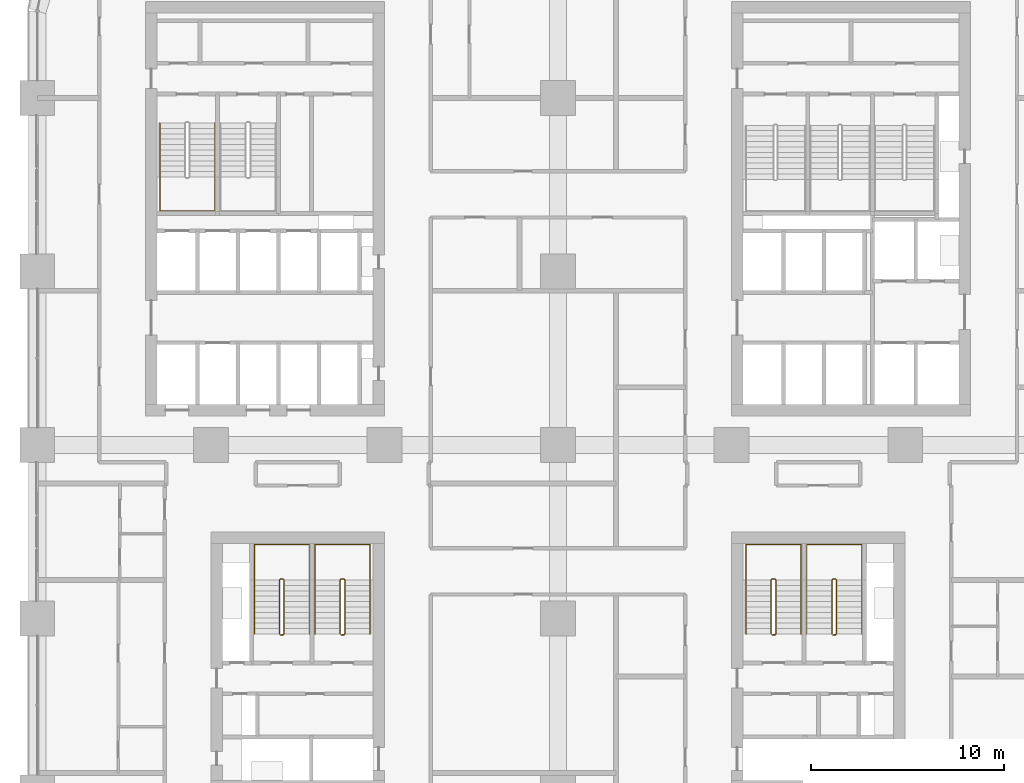
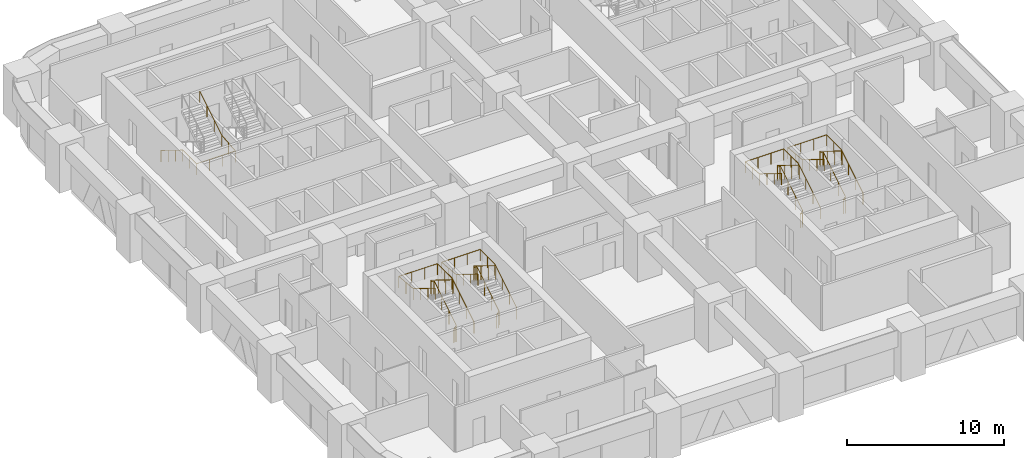
# One storey, part 20 of 21: 9 railings.
"""IFC4 building model written with IfcOpenShell, lengths in metres."""

import ifcopenshell
import ifcopenshell.guid

model = None  # the IFC model being written
_history = None  # IfcOwnerHistory: only IFC2X3 demands one
_inside = {}  # id of a spatial element -> (the spatial element, [elements in it])
_under = {}  # id of a project, library or spatial element -> (it, [spatial elements below it])
_declared = {}  # id of a project -> (the project, [libraries it declares])
_typed = {}  # id of a type object -> (the type object, [elements of that type])
_made_of = {}  # id of a material, layer set ... -> (it, [elements and type objects made of it])


def new_model(schema):
    """Start an empty IFC model of exactly this schema.

    Asked for "IFC4X3", IfcOpenShell would pick the latest addendum, in which some entities
    have other attributes; the version numbers below select the first issue.
    IFC2X3 requires an IfcOwnerHistory on every rooted entity: one is made here for all.
    """
    global model, _history
    if schema == "IFC4X3":
        model = ifcopenshell.file(schema_version=(4, 3, 0, 0))
    else:
        model = ifcopenshell.file(schema=schema)
    _inside.clear()
    _under.clear()
    _declared.clear()
    _typed.clear()
    _made_of.clear()
    _history = None
    if model.schema == "IFC2X3":
        org = make("IfcOrganization", Name="unknown")
        user = make(
            "IfcPersonAndOrganization",
            ThePerson=make("IfcPerson", FamilyName="unknown"),
            TheOrganization=org,
        )
        app = make(
            "IfcApplication",
            ApplicationDeveloper=org,
            Version="unknown",
            ApplicationFullName="unknown",
            ApplicationIdentifier="unknown",
        )
        _history = make(
            "IfcOwnerHistory",
            OwningUser=user,
            OwningApplication=app,
            ChangeAction="ADDED",
            CreationDate=0,
        )
    return model


def make(cls, **values):
    """One entity of the class cls with the attributes given. An attribute that is None is left unset."""
    return model.create_entity(
        cls, **{name: value for name, value in values.items() if value is not None}
    )


def rooted(cls, **values):
    """An entity with a GlobalId (a new one), such as an element, a storey or a relation."""
    return make(cls, GlobalId=ifcopenshell.guid.new(), OwnerHistory=_history, **values)


def si_unit(unit_type, name, prefix=None):
    """IfcSIUnit, for example si_unit("LENGTHUNIT", "METRE", prefix="MILLI")."""
    return make("IfcSIUnit", UnitType=unit_type, Prefix=prefix, Name=name)


def assignment(units):
    """IfcUnitAssignment: the units of a project."""
    return None if units is None else make("IfcUnitAssignment", Units=units)


def point(xyz):
    """IfcCartesianPoint."""
    return None if xyz is None else make("IfcCartesianPoint", Coordinates=xyz)


def direction(xyz):
    """IfcDirection."""
    return None if xyz is None else make("IfcDirection", DirectionRatios=xyz)


def frame(location, z_axis=None, x_axis=None):
    """IfcAxis2Placement3D, a coordinate frame: its origin and axes. An axis left out is left unset."""
    return make(
        "IfcAxis2Placement3D",
        Location=point(location),
        Axis=direction(z_axis),
        RefDirection=direction(x_axis),
    )


def frame_2d(location, x_axis=None):
    """IfcAxis2Placement2D, a coordinate frame in the plane: its origin and x axis."""
    return make(
        "IfcAxis2Placement2D", Location=point(location), RefDirection=direction(x_axis)
    )


def origin():
    """The frame at (0, 0, 0) with its axes left unset."""
    return frame((0.0, 0.0, 0.0))


def origin_2d():
    """The frame at (0, 0) in the plane with its x axis left unset."""
    return frame_2d((0.0, 0.0))


def place(relative_to, where):
    """IfcLocalPlacement: puts the frame where relative to a parent placement (None: the world)."""
    return make(
        "IfcLocalPlacement", PlacementRelTo=relative_to, RelativePlacement=where
    )


def context(
    kind, dimensions, precision=None, world=None, true_north=None, identifier=None
):
    """IfcGeometricRepresentationContext, for example the 3D "Model" context."""
    return make(
        "IfcGeometricRepresentationContext",
        ContextIdentifier=identifier,
        ContextType=kind,
        CoordinateSpaceDimension=dimensions,
        Precision=precision,
        WorldCoordinateSystem=world,
        TrueNorth=true_north,
    )


def subcontext(parent, identifier, kind, view, scale=None):
    """IfcGeometricRepresentationSubContext, for example "Body" below "Model"."""
    return make(
        "IfcGeometricRepresentationSubContext",
        ContextIdentifier=identifier,
        ContextType=kind,
        ParentContext=parent,
        TargetScale=scale,
        TargetView=view,
    )


def project(units=None, contexts=None):
    """IfcProject with its units and contexts."""
    return rooted(
        "IfcProject",
        Name="project",
        RepresentationContexts=contexts,
        UnitsInContext=assignment(units),
    )


def spatial(cls, under=None, at=None, **own):
    """A site, building, storey or space (cls), placed at a placement, below another one or the project."""
    s = rooted(cls, ObjectPlacement=at, **own)
    if under is not None:
        _under.setdefault(under.id(), (under, []))[1].append(s)
    return s


def profile(cls, at=None, kind="AREA", **sizes):
    """A parametric profile (cls). Its sizes go by their IFC names, for example OverallWidth=200.0."""
    return make(cls, ProfileType=kind, Position=at, **sizes)


def circle(**sizes):
    """IfcCircleProfileDef."""
    return profile("IfcCircleProfileDef", **sizes)


def extrude(swept, where, along, depth):
    """IfcExtrudedAreaSolid: the profile swept, set in the frame where, extruded along a direction by depth."""
    return make(
        "IfcExtrudedAreaSolid",
        SweptArea=swept,
        Position=where,
        ExtrudedDirection=direction(along),
        Depth=depth,
    )


def shape(context_of_items, identifier, shape_type, items):
    """IfcShapeRepresentation: the items that make up one representation, for example the "Body"."""
    return make(
        "IfcShapeRepresentation",
        ContextOfItems=context_of_items,
        RepresentationIdentifier=identifier,
        RepresentationType=shape_type,
        Items=items,
    )


def material(Name=None, Category=None):
    """IfcMaterial."""
    return make("IfcMaterial", Name=Name, Category=Category)


def made_of(thing, what):
    """Note that an element or type object is made of a material, layer set ...; save() writes the relation."""
    if what is not None:
        _made_of.setdefault(what.id(), (what, []))[1].append(thing)
    return thing


def type_object(cls, material=None, **own):
    """A type object (cls), such as IfcWallType, which elements share."""
    return made_of(rooted(cls, **own), material)


def element(
    cls,
    number,
    at=None,
    inside=None,
    cuts=None,
    type_object=None,
    material=None,
    context=None,
    identifier="Body",
    shape_type=None,
    held_by="IfcProductDefinitionShape",
    body=None,
    shapes=None,
    **own,
):
    """One element of the class cls, such as IfcWall. Its Tag is "e" and its number.

    at: its placement. inside: the storey or other place that contains it. cuts: it is an
    opening in that element (IfcRelVoidsElement). A single representation is given by context,
    identifier, shape_type and body (its items); several are given by shapes. held_by: the class
    of the entity that holds the representations. save() writes the other relations.
    """
    e = rooted(cls, Tag="e%d" % number, ObjectPlacement=at, **own)
    if body is not None:
        shapes = [shape(context, identifier, shape_type, body)]
    if shapes is not None:
        e.Representation = make(held_by, Representations=shapes)
    if inside is not None:
        _inside.setdefault(inside.id(), (inside, []))[1].append(e)
    if cuts is not None:
        rooted(
            "IfcRelVoidsElement", RelatingBuildingElement=cuts, RelatedOpeningElement=e
        )
    if type_object is not None:
        _typed.setdefault(type_object.id(), (type_object, []))[1].append(e)
    return made_of(e, material)


def aggregate(whole, parts):
    """IfcRelAggregates: a whole, such as a stair, and the parts it consists of."""
    return rooted("IfcRelAggregates", RelatingObject=whole, RelatedObjects=parts)


def save(model, path):
    """Write the relations noted so far, then the file.

    IfcRelAggregates (storeys below a building ...), IfcRelContainedInSpatialStructure (elements
    in a storey), IfcRelDefinesByType, IfcRelAssociatesMaterial and IfcRelDeclares: one each for
    every whole, place, type object, material and project.
    """
    for whole, parts in _under.values():
        aggregate(whole, parts)
    for where, things in _inside.values():
        rooted(
            "IfcRelContainedInSpatialStructure",
            RelatedElements=things,
            RelatingStructure=where,
        )
    for kind, things in _typed.values():
        rooted("IfcRelDefinesByType", RelatedObjects=things, RelatingType=kind)
    for what, things in _made_of.values():
        rooted("IfcRelAssociatesMaterial", RelatedObjects=things, RelatingMaterial=what)
    for by, libraries in _declared.values():
        rooted("IfcRelDeclares", RelatingContext=by, RelatedDefinitions=libraries)
    model.write(path)


model = new_model("IFC4")

# Units and contexts
model_context = context("Model", 3, precision=1e-05, world=origin(), true_north=direction((0.0, 1.0)))
body_context = subcontext(model_context, "Body", "Model", "MODEL_VIEW")
ifc_project = project(units=[si_unit("LENGTHUNIT", "METRE"), si_unit("AREAUNIT", "SQUARE_METRE"), si_unit("VOLUMEUNIT", "CUBIC_METRE"), si_unit("PLANEANGLEUNIT", "RADIAN"), si_unit("MASSUNIT", "GRAM", prefix="KILO")], contexts=[model_context])

# Site, building, storey
site_placement = place(None, origin())
site = spatial("IfcSite", under=ifc_project, at=site_placement, CompositionType="ELEMENT")
building_placement = place(site_placement, origin())
building = spatial("IfcBuilding", under=site, at=building_placement, Name="Tessera Arch", CompositionType="ELEMENT")
storey_placement = place(building_placement, frame((0.0, 0.0, 50.0)))
storey = spatial("IfcBuildingStorey", under=building, at=storey_placement, Name="L10", CompositionType="ELEMENT", Elevation=50.0)

# Railings
ifc_material_1 = material(Name="Painted steel balustrade", Category="steel")
railing_type_1 = type_object("IfcRailingType", Name="Stair guard 1100", PredefinedType="GUARDRAIL", material=ifc_material_1)
railing_1_placement = place(storey_placement, frame((38.25, 17.14990234375, 0.0)))
element("IfcRailing", 1, at=railing_1_placement, inside=storey, type_object=railing_type_1, Name="L10 S3a stair guard 1", PredefinedType="GUARDRAIL", context=body_context, shape_type="SweptSolid", body=[
    extrude(circle(Radius=0.02392578125, at=origin_2d()), frame((0.00390625, 0.0, 1.076171875), z_axis=(-1.0, 0.0, 0.0), x_axis=(0.0, -1.0, 0.0)), (0.0, 0.0, 1.0), 0.157958984375),
    extrude(circle(Radius=0.02392578125, at=origin_2d()), frame((-0.15283203125, -0.000732421875, 1.073486328125), z_axis=(0.743736083135, 0.18616104645, 0.642028584587), x_axis=(-0.242814311512, 0.970072785993, 0.0)), (0.0, 0.0, 1.0), 0.27685546875),
    extrude(circle(Radius=0.02392578125, at=origin_2d()), frame((0.050048828125, 0.046630859375, 1.24658203125), z_axis=(0.0, 0.851089632645, 0.525020415988), x_axis=(-1.0, 0.0, 0.0)), (0.0, 0.0, 1.0), 3.2978515625),
    extrude(circle(Radius=0.02392578125, at=origin_2d()), frame((0.052978515625, 2.84716796875, 2.97607421875), z_axis=(-0.707106781187, 0.707106781187, 0.0), x_axis=(-0.707106781187, -0.707106781187, 0.0)), (0.0, 0.0, 1.0), 0.078857421875),
    extrude(circle(Radius=0.02392578125, at=origin_2d()), frame((0.00390625, 2.900146484375, 2.97607421875), z_axis=(-1.0, 0.0, 0.0), x_axis=(0.0, -1.0, 0.0)), (0.0, 0.0, 1.0), 0.157958984375),
    extrude(circle(Radius=0.02392578125, at=origin_2d()), frame((-0.14892578125, 2.901123046875, 2.97216796875), z_axis=(-0.267953482034, -0.267953482034, 0.925419830635), x_axis=(0.707106781187, -0.707106781187, 0.0)), (0.0, 0.0, 1.0), 0.19482421875),
    extrude(circle(Radius=0.02392578125, at=origin_2d()), frame((-0.199951171875, 2.853515625, 3.146728515625), z_axis=(0.0, -0.851089632645, 0.525020415988), x_axis=(1.0, 0.0, 0.0)), (0.0, 0.0, 1.0), 3.2978515625),
    extrude(circle(Radius=0.02099609375, at=origin_2d()), origin(), (0.0, 0.0, 1.0), 1.06396484375),
    extrude(circle(Radius=0.02099609375, at=origin_2d()), frame((-0.14990234375, 0.0, 0.0)), (0.0, 0.0, 1.0), 1.06396484375),
    extrude(circle(Radius=0.02099609375, at=origin_2d()), frame((0.050048828125, 0.050048828125, 0.172607421875)), (0.0, 0.0, 1.0), 1.06396484375),
    extrude(circle(Radius=0.02099609375, at=origin_2d()), frame((0.050048828125, 0.9833984375, 0.748291015625)), (0.0, 0.0, 1.0), 1.06396484375),
    extrude(circle(Radius=0.02099609375, at=origin_2d()), frame((0.050048828125, 1.916748046875, 1.32421875)), (0.0, 0.0, 1.0), 1.06396484375),
    extrude(circle(Radius=0.02099609375, at=origin_2d()), frame((0.050048828125, 2.85009765625, 1.89990234375)), (0.0, 0.0, 1.0), 1.06396484375),
    extrude(circle(Radius=0.02099609375, at=origin_2d()), frame((0.0, 2.900146484375, 1.89990234375)), (0.0, 0.0, 1.0), 1.06396484375),
    extrude(circle(Radius=0.02099609375, at=origin_2d()), frame((-0.14990234375, 2.900146484375, 1.89990234375)), (0.0, 0.0, 1.0), 1.06396484375),
    extrude(circle(Radius=0.02099609375, at=origin_2d()), frame((-0.199951171875, 2.85009765625, 2.07275390625)), (0.0, 0.0, 1.0), 1.06396484375),
    extrude(circle(Radius=0.02099609375, at=origin_2d()), frame((-0.199951171875, 1.916748046875, 2.6484375)), (0.0, 0.0, 1.0), 1.06396484375),
    extrude(circle(Radius=0.02099609375, at=origin_2d()), frame((-0.199951171875, 0.9833984375, 3.224365234375)), (0.0, 0.0, 1.0), 1.06396484375),
    extrude(circle(Radius=0.02099609375, at=origin_2d()), frame((-0.199951171875, 0.050048828125, 3.800048828125)), (0.0, 0.0, 1.0), 1.06396484375),
])
railing_2_placement = place(storey_placement, frame((41.39990234375, 17.14990234375, 0.0)))
element("IfcRailing", 2, at=railing_2_placement, inside=storey, type_object=railing_type_1, Name="L10 S3b stair guard 1", PredefinedType="GUARDRAIL", context=body_context, shape_type="SweptSolid", body=[
    extrude(circle(Radius=0.02392578125, at=origin_2d()), frame((0.00390625, 0.0, 1.076171875), z_axis=(-1.0, 0.0, 0.0), x_axis=(0.0, -1.0, 0.0)), (0.0, 0.0, 1.0), 0.157958984375),
    extrude(circle(Radius=0.02392578125, at=origin_2d()), frame((-0.15283203125, -0.000732421875, 1.073486328125), z_axis=(0.743736083135, 0.18616104645, 0.642028584587), x_axis=(-0.242814311512, 0.970072785993, 0.0)), (0.0, 0.0, 1.0), 0.27685546875),
    extrude(circle(Radius=0.02392578125, at=origin_2d()), frame((0.050048828125, 0.046630859375, 1.24658203125), z_axis=(0.0, 0.851089632645, 0.525020415988), x_axis=(-1.0, 0.0, 0.0)), (0.0, 0.0, 1.0), 3.2978515625),
    extrude(circle(Radius=0.02392578125, at=origin_2d()), frame((0.052978515625, 2.84716796875, 2.97607421875), z_axis=(-0.707106781187, 0.707106781187, 0.0), x_axis=(-0.707106781187, -0.707106781187, 0.0)), (0.0, 0.0, 1.0), 0.078857421875),
    extrude(circle(Radius=0.02392578125, at=origin_2d()), frame((0.00390625, 2.900146484375, 2.97607421875), z_axis=(-1.0, 0.0, 0.0), x_axis=(0.0, -1.0, 0.0)), (0.0, 0.0, 1.0), 0.157958984375),
    extrude(circle(Radius=0.02392578125, at=origin_2d()), frame((-0.14892578125, 2.901123046875, 2.97216796875), z_axis=(-0.267953482034, -0.267953482034, 0.925419830635), x_axis=(0.707106781187, -0.707106781187, 0.0)), (0.0, 0.0, 1.0), 0.19482421875),
    extrude(circle(Radius=0.02392578125, at=origin_2d()), frame((-0.199951171875, 2.853515625, 3.146728515625), z_axis=(0.0, -0.851089632645, 0.525020415988), x_axis=(1.0, 0.0, 0.0)), (0.0, 0.0, 1.0), 3.2978515625),
    extrude(circle(Radius=0.02099609375, at=origin_2d()), origin(), (0.0, 0.0, 1.0), 1.06396484375),
    extrude(circle(Radius=0.02099609375, at=origin_2d()), frame((-0.14990234375, 0.0, 0.0)), (0.0, 0.0, 1.0), 1.06396484375),
    extrude(circle(Radius=0.02099609375, at=origin_2d()), frame((0.050048828125, 0.050048828125, 0.172607421875)), (0.0, 0.0, 1.0), 1.06396484375),
    extrude(circle(Radius=0.02099609375, at=origin_2d()), frame((0.050048828125, 0.9833984375, 0.748291015625)), (0.0, 0.0, 1.0), 1.06396484375),
    extrude(circle(Radius=0.02099609375, at=origin_2d()), frame((0.050048828125, 1.916748046875, 1.32421875)), (0.0, 0.0, 1.0), 1.06396484375),
    extrude(circle(Radius=0.02099609375, at=origin_2d()), frame((0.050048828125, 2.85009765625, 1.89990234375)), (0.0, 0.0, 1.0), 1.06396484375),
    extrude(circle(Radius=0.02099609375, at=origin_2d()), frame((0.0, 2.900146484375, 1.89990234375)), (0.0, 0.0, 1.0), 1.06396484375),
    extrude(circle(Radius=0.02099609375, at=origin_2d()), frame((-0.14990234375, 2.900146484375, 1.89990234375)), (0.0, 0.0, 1.0), 1.06396484375),
    extrude(circle(Radius=0.02099609375, at=origin_2d()), frame((-0.199951171875, 2.85009765625, 2.07275390625)), (0.0, 0.0, 1.0), 1.06396484375),
    extrude(circle(Radius=0.02099609375, at=origin_2d()), frame((-0.199951171875, 1.916748046875, 2.6484375)), (0.0, 0.0, 1.0), 1.06396484375),
    extrude(circle(Radius=0.02099609375, at=origin_2d()), frame((-0.199951171875, 0.9833984375, 3.224365234375)), (0.0, 0.0, 1.0), 1.06396484375),
    extrude(circle(Radius=0.02099609375, at=origin_2d()), frame((-0.199951171875, 0.050048828125, 3.800048828125)), (0.0, 0.0, 1.0), 1.06396484375),
])
railing_3_placement = place(storey_placement, frame((15.89990234375, 17.14990234375, 0.0)))
element("IfcRailing", 3, at=railing_3_placement, inside=storey, type_object=railing_type_1, Name="L10 S4a stair guard 1", PredefinedType="GUARDRAIL", context=body_context, shape_type="SweptSolid", body=[
    extrude(circle(Radius=0.02392578125, at=origin_2d()), frame((0.00390625, 0.0, 1.076171875), z_axis=(-1.0, 0.0, 0.0), x_axis=(0.0, -1.0, 0.0)), (0.0, 0.0, 1.0), 0.157958984375),
    extrude(circle(Radius=0.02392578125, at=origin_2d()), frame((-0.15283203125, -0.000732421875, 1.073486328125), z_axis=(0.743736083135, 0.18616104645, 0.642028584587), x_axis=(-0.242814311512, 0.970072785993, 0.0)), (0.0, 0.0, 1.0), 0.27685546875),
    extrude(circle(Radius=0.02392578125, at=origin_2d()), frame((0.050048828125, 0.046630859375, 1.24658203125), z_axis=(0.0, 0.851089632645, 0.525020415988), x_axis=(-1.0, 0.0, 0.0)), (0.0, 0.0, 1.0), 3.2978515625),
    extrude(circle(Radius=0.02392578125, at=origin_2d()), frame((0.052978515625, 2.84716796875, 2.97607421875), z_axis=(-0.707106781187, 0.707106781187, 0.0), x_axis=(-0.707106781187, -0.707106781187, 0.0)), (0.0, 0.0, 1.0), 0.078857421875),
    extrude(circle(Radius=0.02392578125, at=origin_2d()), frame((0.00390625, 2.900146484375, 2.97607421875), z_axis=(-1.0, 0.0, 0.0), x_axis=(0.0, -1.0, 0.0)), (0.0, 0.0, 1.0), 0.157958984375),
    extrude(circle(Radius=0.02392578125, at=origin_2d()), frame((-0.14892578125, 2.901123046875, 2.97216796875), z_axis=(-0.267953482034, -0.267953482034, 0.925419830635), x_axis=(0.707106781187, -0.707106781187, 0.0)), (0.0, 0.0, 1.0), 0.19482421875),
    extrude(circle(Radius=0.02392578125, at=origin_2d()), frame((-0.199951171875, 2.853515625, 3.146728515625), z_axis=(0.0, -0.851089632645, 0.525020415988), x_axis=(1.0, 0.0, 0.0)), (0.0, 0.0, 1.0), 3.2978515625),
    extrude(circle(Radius=0.02099609375, at=origin_2d()), origin(), (0.0, 0.0, 1.0), 1.06396484375),
    extrude(circle(Radius=0.02099609375, at=origin_2d()), frame((-0.14990234375, 0.0, 0.0)), (0.0, 0.0, 1.0), 1.06396484375),
    extrude(circle(Radius=0.02099609375, at=origin_2d()), frame((0.050048828125, 0.050048828125, 0.172607421875)), (0.0, 0.0, 1.0), 1.06396484375),
    extrude(circle(Radius=0.02099609375, at=origin_2d()), frame((0.050048828125, 0.9833984375, 0.748291015625)), (0.0, 0.0, 1.0), 1.06396484375),
    extrude(circle(Radius=0.02099609375, at=origin_2d()), frame((0.050048828125, 1.916748046875, 1.32421875)), (0.0, 0.0, 1.0), 1.06396484375),
    extrude(circle(Radius=0.02099609375, at=origin_2d()), frame((0.050048828125, 2.85009765625, 1.89990234375)), (0.0, 0.0, 1.0), 1.06396484375),
    extrude(circle(Radius=0.02099609375, at=origin_2d()), frame((0.0, 2.900146484375, 1.89990234375)), (0.0, 0.0, 1.0), 1.06396484375),
    extrude(circle(Radius=0.02099609375, at=origin_2d()), frame((-0.14990234375, 2.900146484375, 1.89990234375)), (0.0, 0.0, 1.0), 1.06396484375),
    extrude(circle(Radius=0.02099609375, at=origin_2d()), frame((-0.199951171875, 2.85009765625, 2.07275390625)), (0.0, 0.0, 1.0), 1.06396484375),
    extrude(circle(Radius=0.02099609375, at=origin_2d()), frame((-0.199951171875, 1.916748046875, 2.6484375)), (0.0, 0.0, 1.0), 1.06396484375),
    extrude(circle(Radius=0.02099609375, at=origin_2d()), frame((-0.199951171875, 0.9833984375, 3.224365234375)), (0.0, 0.0, 1.0), 1.06396484375),
    extrude(circle(Radius=0.02099609375, at=origin_2d()), frame((-0.199951171875, 0.050048828125, 3.800048828125)), (0.0, 0.0, 1.0), 1.06396484375),
])
railing_4_placement = place(storey_placement, frame((12.75, 17.14990234375, 0.0)))
element("IfcRailing", 4, at=railing_4_placement, inside=storey, type_object=railing_type_1, Name="L10 S4b stair guard 1", PredefinedType="GUARDRAIL", context=body_context, shape_type="SweptSolid", body=[
    extrude(circle(Radius=0.02392578125, at=origin_2d()), frame((0.00390625, 0.0, 1.076171875), z_axis=(-1.0, 0.0, 0.0), x_axis=(0.0, -1.0, 0.0)), (0.0, 0.0, 1.0), 0.157958984375),
    extrude(circle(Radius=0.02392578125, at=origin_2d()), frame((-0.15283203125, -0.000732421875, 1.073486328125), z_axis=(0.743736083135, 0.18616104645, 0.642028584587), x_axis=(-0.242814311512, 0.970072785993, 0.0)), (0.0, 0.0, 1.0), 0.27685546875),
    extrude(circle(Radius=0.02392578125, at=origin_2d()), frame((0.050048828125, 0.046630859375, 1.24658203125), z_axis=(0.0, 0.851089632645, 0.525020415988), x_axis=(-1.0, 0.0, 0.0)), (0.0, 0.0, 1.0), 3.2978515625),
    extrude(circle(Radius=0.02392578125, at=origin_2d()), frame((0.052978515625, 2.84716796875, 2.97607421875), z_axis=(-0.707106781187, 0.707106781187, 0.0), x_axis=(-0.707106781187, -0.707106781187, 0.0)), (0.0, 0.0, 1.0), 0.078857421875),
    extrude(circle(Radius=0.02392578125, at=origin_2d()), frame((0.00390625, 2.900146484375, 2.97607421875), z_axis=(-1.0, 0.0, 0.0), x_axis=(0.0, -1.0, 0.0)), (0.0, 0.0, 1.0), 0.157958984375),
    extrude(circle(Radius=0.02392578125, at=origin_2d()), frame((-0.14892578125, 2.901123046875, 2.97216796875), z_axis=(-0.267953482034, -0.267953482034, 0.925419830635), x_axis=(0.707106781187, -0.707106781187, 0.0)), (0.0, 0.0, 1.0), 0.19482421875),
    extrude(circle(Radius=0.02392578125, at=origin_2d()), frame((-0.199951171875, 2.853515625, 3.146728515625), z_axis=(0.0, -0.851089632645, 0.525020415988), x_axis=(1.0, 0.0, 0.0)), (0.0, 0.0, 1.0), 3.2978515625),
    extrude(circle(Radius=0.02099609375, at=origin_2d()), origin(), (0.0, 0.0, 1.0), 1.06396484375),
    extrude(circle(Radius=0.02099609375, at=origin_2d()), frame((-0.14990234375, 0.0, 0.0)), (0.0, 0.0, 1.0), 1.06396484375),
    extrude(circle(Radius=0.02099609375, at=origin_2d()), frame((0.050048828125, 0.050048828125, 0.172607421875)), (0.0, 0.0, 1.0), 1.06396484375),
    extrude(circle(Radius=0.02099609375, at=origin_2d()), frame((0.050048828125, 0.9833984375, 0.748291015625)), (0.0, 0.0, 1.0), 1.06396484375),
    extrude(circle(Radius=0.02099609375, at=origin_2d()), frame((0.050048828125, 1.916748046875, 1.32421875)), (0.0, 0.0, 1.0), 1.06396484375),
    extrude(circle(Radius=0.02099609375, at=origin_2d()), frame((0.050048828125, 2.85009765625, 1.89990234375)), (0.0, 0.0, 1.0), 1.06396484375),
    extrude(circle(Radius=0.02099609375, at=origin_2d()), frame((0.0, 2.900146484375, 1.89990234375)), (0.0, 0.0, 1.0), 1.06396484375),
    extrude(circle(Radius=0.02099609375, at=origin_2d()), frame((-0.14990234375, 2.900146484375, 1.89990234375)), (0.0, 0.0, 1.0), 1.06396484375),
    extrude(circle(Radius=0.02099609375, at=origin_2d()), frame((-0.199951171875, 2.85009765625, 2.07275390625)), (0.0, 0.0, 1.0), 1.06396484375),
    extrude(circle(Radius=0.02099609375, at=origin_2d()), frame((-0.199951171875, 1.916748046875, 2.6484375)), (0.0, 0.0, 1.0), 1.06396484375),
    extrude(circle(Radius=0.02099609375, at=origin_2d()), frame((-0.199951171875, 0.9833984375, 3.224365234375)), (0.0, 0.0, 1.0), 1.06396484375),
    extrude(circle(Radius=0.02099609375, at=origin_2d()), frame((-0.199951171875, 0.050048828125, 3.800048828125)), (0.0, 0.0, 1.0), 1.06396484375),
])
ifc_material_2 = material(Name="Painted steel handrail", Category="steel")
railing_type_2 = type_object("IfcRailingType", Name="Stair handrail 900", PredefinedType="HANDRAIL", material=ifc_material_2)
railing_5_placement = place(storey_placement, frame((6.35009765625, 43.699951171875, 0.172607421875)))
element("IfcRailing", 5, at=railing_5_placement, inside=storey, type_object=railing_type_2, Name="L10 S2a stair handrail", PredefinedType="HANDRAIL", context=body_context, shape_type="SweptSolid", body=[
    extrude(circle(Radius=0.02392578125, at=origin_2d()), frame((0.0, 0.00341796875, 0.873779296875), z_axis=(0.0, -0.851089632645, 0.525020415988), x_axis=(1.0, 0.0, 0.0)), (0.0, 0.0, 1.0), 3.2978515625),
    extrude(circle(Radius=0.02392578125, at=origin_2d()), frame((0.0, -2.796142578125, 2.60302734375), z_axis=(0.0, -1.0, 0.0), x_axis=(1.0, 0.0, 0.0)), (0.0, 0.0, 1.0), 1.758056640625),
    extrude(circle(Radius=0.02392578125, at=origin_2d()), frame((-0.00390625, -4.550048828125, 2.60302734375), z_axis=(1.0, 0.0, 0.0), x_axis=(0.0, 1.0, 0.0)), (0.0, 0.0, 1.0), 2.85791015625),
    extrude(circle(Radius=0.02392578125, at=origin_2d()), frame((2.849853515625, -4.553955078125, 2.602783203125), z_axis=(0.0, 0.995157418657, 0.098294008428), x_axis=(-1.0, 0.0, 0.0)), (0.0, 0.0, 1.0), 1.7666015625),
    extrude(circle(Radius=0.02392578125, at=origin_2d()), frame((2.849853515625, -2.803466796875, 2.77392578125), z_axis=(0.0, 0.851089632645, 0.525020415988), x_axis=(-1.0, 0.0, 0.0)), (0.0, 0.0, 1.0), 3.2978515625),
    extrude(circle(Radius=0.02099609375, at=origin_2d()), origin(), (0.0, 0.0, 1.0), 0.86376953125),
    extrude(circle(Radius=0.02099609375, at=origin_2d()), frame((0.0, -0.933349609375, 0.57568359375)), (0.0, 0.0, 1.0), 0.86376953125),
    extrude(circle(Radius=0.02099609375, at=origin_2d()), frame((0.0, -1.86669921875, 1.151611328125)), (0.0, 0.0, 1.0), 0.86376953125),
    extrude(circle(Radius=0.02099609375, at=origin_2d()), frame((0.0, -2.800048828125, 1.727294921875)), (0.0, 0.0, 1.0), 0.86376953125),
    extrude(circle(Radius=0.02099609375, at=origin_2d()), frame((0.0, -3.675048828125, 1.727294921875)), (0.0, 0.0, 1.0), 0.86376953125),
    extrude(circle(Radius=0.02099609375, at=origin_2d()), frame((0.0, -4.550048828125, 1.727294921875)), (0.0, 0.0, 1.0), 0.86376953125),
    extrude(circle(Radius=0.02099609375, at=origin_2d()), frame((0.949951171875, -4.550048828125, 1.727294921875)), (0.0, 0.0, 1.0), 0.86376953125),
    extrude(circle(Radius=0.02099609375, at=origin_2d()), frame((1.89990234375, -4.550048828125, 1.727294921875)), (0.0, 0.0, 1.0), 0.86376953125),
    extrude(circle(Radius=0.02099609375, at=origin_2d()), frame((2.849853515625, -4.550048828125, 1.727294921875)), (0.0, 0.0, 1.0), 0.86376953125),
    extrude(circle(Radius=0.02099609375, at=origin_2d()), frame((2.849853515625, -3.675048828125, 1.813720703125)), (0.0, 0.0, 1.0), 0.86376953125),
    extrude(circle(Radius=0.02099609375, at=origin_2d()), frame((2.849853515625, -2.800048828125, 1.900146484375)), (0.0, 0.0, 1.0), 0.86376953125),
    extrude(circle(Radius=0.02099609375, at=origin_2d()), frame((2.849853515625, -1.86669921875, 2.475830078125)), (0.0, 0.0, 1.0), 0.86376953125),
    extrude(circle(Radius=0.02099609375, at=origin_2d()), frame((2.849853515625, -0.933349609375, 3.0517578125)), (0.0, 0.0, 1.0), 0.86376953125),
    extrude(circle(Radius=0.02099609375, at=origin_2d()), frame((2.849853515625, 0.0, 3.62744140625)), (0.0, 0.0, 1.0), 0.86376953125),
])
railing_6_placement = place(storey_placement, frame((39.60009765625, 17.199951171875, 0.172607421875)))
element("IfcRailing", 6, at=railing_6_placement, inside=storey, type_object=railing_type_2, Name="L10 S3a stair handrail", PredefinedType="HANDRAIL", context=body_context, shape_type="SweptSolid", body=[
    extrude(circle(Radius=0.02392578125, at=origin_2d()), frame((0.0, -0.00341796875, 0.873779296875), z_axis=(0.0, 0.851089632645, 0.525020415988), x_axis=(-1.0, 0.0, 0.0)), (0.0, 0.0, 1.0), 3.2978515625),
    extrude(circle(Radius=0.02392578125, at=origin_2d()), frame((0.0, 2.796142578125, 2.60302734375), z_axis=(0.0, 1.0, 0.0), x_axis=(-1.0, 0.0, 0.0)), (0.0, 0.0, 1.0), 1.858154296875),
    extrude(circle(Radius=0.02392578125, at=origin_2d()), frame((0.00390625, 4.650146484375, 2.60302734375), z_axis=(-1.0, 0.0, 0.0), x_axis=(0.0, -1.0, 0.0)), (0.0, 0.0, 1.0), 2.858154296875),
    extrude(circle(Radius=0.02392578125, at=origin_2d()), frame((-2.85009765625, 4.654052734375, 2.602783203125), z_axis=(0.0, -0.99566393824, 0.093023234135), x_axis=(1.0, 0.0, 0.0)), (0.0, 0.0, 1.0), 1.8662109375),
    extrude(circle(Radius=0.02392578125, at=origin_2d()), frame((-2.85009765625, 2.803466796875, 2.77392578125), z_axis=(0.0, -0.851089632645, 0.525020415988), x_axis=(1.0, 0.0, 0.0)), (0.0, 0.0, 1.0), 3.2978515625),
    extrude(circle(Radius=0.02099609375, at=origin_2d()), origin(), (0.0, 0.0, 1.0), 0.86376953125),
    extrude(circle(Radius=0.02099609375, at=origin_2d()), frame((0.0, 0.933349609375, 0.57568359375)), (0.0, 0.0, 1.0), 0.86376953125),
    extrude(circle(Radius=0.02099609375, at=origin_2d()), frame((0.0, 1.86669921875, 1.151611328125)), (0.0, 0.0, 1.0), 0.86376953125),
    extrude(circle(Radius=0.02099609375, at=origin_2d()), frame((0.0, 2.800048828125, 1.727294921875)), (0.0, 0.0, 1.0), 0.86376953125),
    extrude(circle(Radius=0.02099609375, at=origin_2d()), frame((0.0, 3.72509765625, 1.727294921875)), (0.0, 0.0, 1.0), 0.86376953125),
    extrude(circle(Radius=0.02099609375, at=origin_2d()), frame((0.0, 4.650146484375, 1.727294921875)), (0.0, 0.0, 1.0), 0.86376953125),
    extrude(circle(Radius=0.02099609375, at=origin_2d()), frame((-0.949951171875, 4.650146484375, 1.727294921875)), (0.0, 0.0, 1.0), 0.86376953125),
    extrude(circle(Radius=0.02099609375, at=origin_2d()), frame((-1.900146484375, 4.650146484375, 1.727294921875)), (0.0, 0.0, 1.0), 0.86376953125),
    extrude(circle(Radius=0.02099609375, at=origin_2d()), frame((-2.85009765625, 4.650146484375, 1.727294921875)), (0.0, 0.0, 1.0), 0.86376953125),
    extrude(circle(Radius=0.02099609375, at=origin_2d()), frame((-2.85009765625, 3.72509765625, 1.813720703125)), (0.0, 0.0, 1.0), 0.86376953125),
    extrude(circle(Radius=0.02099609375, at=origin_2d()), frame((-2.85009765625, 2.800048828125, 1.900146484375)), (0.0, 0.0, 1.0), 0.86376953125),
    extrude(circle(Radius=0.02099609375, at=origin_2d()), frame((-2.85009765625, 1.86669921875, 2.475830078125)), (0.0, 0.0, 1.0), 0.86376953125),
    extrude(circle(Radius=0.02099609375, at=origin_2d()), frame((-2.85009765625, 0.933349609375, 3.0517578125)), (0.0, 0.0, 1.0), 0.86376953125),
    extrude(circle(Radius=0.02099609375, at=origin_2d()), frame((-2.85009765625, 0.0, 3.62744140625)), (0.0, 0.0, 1.0), 0.86376953125),
])
railing_7_placement = place(storey_placement, frame((42.75, 17.199951171875, 0.172607421875)))
element("IfcRailing", 7, at=railing_7_placement, inside=storey, type_object=railing_type_2, Name="L10 S3b stair handrail", PredefinedType="HANDRAIL", context=body_context, shape_type="SweptSolid", body=[
    extrude(circle(Radius=0.02392578125, at=origin_2d()), frame((0.0, -0.00341796875, 0.873779296875), z_axis=(0.0, 0.851089632645, 0.525020415988), x_axis=(-1.0, 0.0, 0.0)), (0.0, 0.0, 1.0), 3.2978515625),
    extrude(circle(Radius=0.02392578125, at=origin_2d()), frame((0.0, 2.796142578125, 2.60302734375), z_axis=(0.0, 1.0, 0.0), x_axis=(-1.0, 0.0, 0.0)), (0.0, 0.0, 1.0), 1.858154296875),
    extrude(circle(Radius=0.02392578125, at=origin_2d()), frame((0.00390625, 4.650146484375, 2.60302734375), z_axis=(-1.0, 0.0, 0.0), x_axis=(0.0, -1.0, 0.0)), (0.0, 0.0, 1.0), 2.858154296875),
    extrude(circle(Radius=0.02392578125, at=origin_2d()), frame((-2.85009765625, 4.654052734375, 2.602783203125), z_axis=(0.0, -0.99566393824, 0.093023234135), x_axis=(1.0, 0.0, 0.0)), (0.0, 0.0, 1.0), 1.8662109375),
    extrude(circle(Radius=0.02392578125, at=origin_2d()), frame((-2.85009765625, 2.803466796875, 2.77392578125), z_axis=(0.0, -0.851089632645, 0.525020415988), x_axis=(1.0, 0.0, 0.0)), (0.0, 0.0, 1.0), 3.2978515625),
    extrude(circle(Radius=0.02099609375, at=origin_2d()), origin(), (0.0, 0.0, 1.0), 0.86376953125),
    extrude(circle(Radius=0.02099609375, at=origin_2d()), frame((0.0, 0.933349609375, 0.57568359375)), (0.0, 0.0, 1.0), 0.86376953125),
    extrude(circle(Radius=0.02099609375, at=origin_2d()), frame((0.0, 1.86669921875, 1.151611328125)), (0.0, 0.0, 1.0), 0.86376953125),
    extrude(circle(Radius=0.02099609375, at=origin_2d()), frame((0.0, 2.800048828125, 1.727294921875)), (0.0, 0.0, 1.0), 0.86376953125),
    extrude(circle(Radius=0.02099609375, at=origin_2d()), frame((0.0, 3.72509765625, 1.727294921875)), (0.0, 0.0, 1.0), 0.86376953125),
    extrude(circle(Radius=0.02099609375, at=origin_2d()), frame((0.0, 4.650146484375, 1.727294921875)), (0.0, 0.0, 1.0), 0.86376953125),
    extrude(circle(Radius=0.02099609375, at=origin_2d()), frame((-0.949951171875, 4.650146484375, 1.727294921875)), (0.0, 0.0, 1.0), 0.86376953125),
    extrude(circle(Radius=0.02099609375, at=origin_2d()), frame((-1.900146484375, 4.650146484375, 1.727294921875)), (0.0, 0.0, 1.0), 0.86376953125),
    extrude(circle(Radius=0.02099609375, at=origin_2d()), frame((-2.85009765625, 4.650146484375, 1.727294921875)), (0.0, 0.0, 1.0), 0.86376953125),
    extrude(circle(Radius=0.02099609375, at=origin_2d()), frame((-2.85009765625, 3.72509765625, 1.813720703125)), (0.0, 0.0, 1.0), 0.86376953125),
    extrude(circle(Radius=0.02099609375, at=origin_2d()), frame((-2.85009765625, 2.800048828125, 1.900146484375)), (0.0, 0.0, 1.0), 0.86376953125),
    extrude(circle(Radius=0.02099609375, at=origin_2d()), frame((-2.85009765625, 1.86669921875, 2.475830078125)), (0.0, 0.0, 1.0), 0.86376953125),
    extrude(circle(Radius=0.02099609375, at=origin_2d()), frame((-2.85009765625, 0.933349609375, 3.0517578125)), (0.0, 0.0, 1.0), 0.86376953125),
    extrude(circle(Radius=0.02099609375, at=origin_2d()), frame((-2.85009765625, 0.0, 3.62744140625)), (0.0, 0.0, 1.0), 0.86376953125),
])
railing_8_placement = place(storey_placement, frame((17.25, 17.199951171875, 0.172607421875)))
element("IfcRailing", 8, at=railing_8_placement, inside=storey, type_object=railing_type_2, Name="L10 S4a stair handrail", PredefinedType="HANDRAIL", context=body_context, shape_type="SweptSolid", body=[
    extrude(circle(Radius=0.02392578125, at=origin_2d()), frame((0.0, -0.00341796875, 0.873779296875), z_axis=(0.0, 0.851089632645, 0.525020415988), x_axis=(-1.0, 0.0, 0.0)), (0.0, 0.0, 1.0), 3.2978515625),
    extrude(circle(Radius=0.02392578125, at=origin_2d()), frame((0.0, 2.796142578125, 2.60302734375), z_axis=(0.0, 1.0, 0.0), x_axis=(-1.0, 0.0, 0.0)), (0.0, 0.0, 1.0), 1.858154296875),
    extrude(circle(Radius=0.02392578125, at=origin_2d()), frame((0.00390625, 4.650146484375, 2.60302734375), z_axis=(-1.0, 0.0, 0.0), x_axis=(0.0, -1.0, 0.0)), (0.0, 0.0, 1.0), 2.858154296875),
    extrude(circle(Radius=0.02392578125, at=origin_2d()), frame((-2.85009765625, 4.654052734375, 2.602783203125), z_axis=(0.0, -0.99566393824, 0.093023234135), x_axis=(1.0, 0.0, 0.0)), (0.0, 0.0, 1.0), 1.8662109375),
    extrude(circle(Radius=0.02392578125, at=origin_2d()), frame((-2.85009765625, 2.803466796875, 2.77392578125), z_axis=(0.0, -0.851089632645, 0.525020415988), x_axis=(1.0, 0.0, 0.0)), (0.0, 0.0, 1.0), 3.2978515625),
    extrude(circle(Radius=0.02099609375, at=origin_2d()), origin(), (0.0, 0.0, 1.0), 0.86376953125),
    extrude(circle(Radius=0.02099609375, at=origin_2d()), frame((0.0, 0.933349609375, 0.57568359375)), (0.0, 0.0, 1.0), 0.86376953125),
    extrude(circle(Radius=0.02099609375, at=origin_2d()), frame((0.0, 1.86669921875, 1.151611328125)), (0.0, 0.0, 1.0), 0.86376953125),
    extrude(circle(Radius=0.02099609375, at=origin_2d()), frame((0.0, 2.800048828125, 1.727294921875)), (0.0, 0.0, 1.0), 0.86376953125),
    extrude(circle(Radius=0.02099609375, at=origin_2d()), frame((0.0, 3.72509765625, 1.727294921875)), (0.0, 0.0, 1.0), 0.86376953125),
    extrude(circle(Radius=0.02099609375, at=origin_2d()), frame((0.0, 4.650146484375, 1.727294921875)), (0.0, 0.0, 1.0), 0.86376953125),
    extrude(circle(Radius=0.02099609375, at=origin_2d()), frame((-0.949951171875, 4.650146484375, 1.727294921875)), (0.0, 0.0, 1.0), 0.86376953125),
    extrude(circle(Radius=0.02099609375, at=origin_2d()), frame((-1.900146484375, 4.650146484375, 1.727294921875)), (0.0, 0.0, 1.0), 0.86376953125),
    extrude(circle(Radius=0.02099609375, at=origin_2d()), frame((-2.85009765625, 4.650146484375, 1.727294921875)), (0.0, 0.0, 1.0), 0.86376953125),
    extrude(circle(Radius=0.02099609375, at=origin_2d()), frame((-2.85009765625, 3.72509765625, 1.813720703125)), (0.0, 0.0, 1.0), 0.86376953125),
    extrude(circle(Radius=0.02099609375, at=origin_2d()), frame((-2.85009765625, 2.800048828125, 1.900146484375)), (0.0, 0.0, 1.0), 0.86376953125),
    extrude(circle(Radius=0.02099609375, at=origin_2d()), frame((-2.85009765625, 1.86669921875, 2.475830078125)), (0.0, 0.0, 1.0), 0.86376953125),
    extrude(circle(Radius=0.02099609375, at=origin_2d()), frame((-2.85009765625, 0.933349609375, 3.0517578125)), (0.0, 0.0, 1.0), 0.86376953125),
    extrude(circle(Radius=0.02099609375, at=origin_2d()), frame((-2.85009765625, 0.0, 3.62744140625)), (0.0, 0.0, 1.0), 0.86376953125),
])
railing_9_placement = place(storey_placement, frame((14.10009765625, 17.199951171875, 0.172607421875)))
element("IfcRailing", 9, at=railing_9_placement, inside=storey, type_object=railing_type_2, Name="L10 S4b stair handrail", PredefinedType="HANDRAIL", context=body_context, shape_type="SweptSolid", body=[
    extrude(circle(Radius=0.02392578125, at=origin_2d()), frame((0.0, -0.00341796875, 0.873779296875), z_axis=(0.0, 0.851089632645, 0.525020415988), x_axis=(-1.0, 0.0, 0.0)), (0.0, 0.0, 1.0), 3.2978515625),
    extrude(circle(Radius=0.02392578125, at=origin_2d()), frame((0.0, 2.796142578125, 2.60302734375), z_axis=(0.0, 1.0, 0.0), x_axis=(-1.0, 0.0, 0.0)), (0.0, 0.0, 1.0), 1.858154296875),
    extrude(circle(Radius=0.02392578125, at=origin_2d()), frame((0.00390625, 4.650146484375, 2.60302734375), z_axis=(-1.0, 0.0, 0.0), x_axis=(0.0, -1.0, 0.0)), (0.0, 0.0, 1.0), 2.858154296875),
    extrude(circle(Radius=0.02392578125, at=origin_2d()), frame((-2.85009765625, 4.654052734375, 2.602783203125), z_axis=(0.0, -0.99566393824, 0.093023234135), x_axis=(1.0, 0.0, 0.0)), (0.0, 0.0, 1.0), 1.8662109375),
    extrude(circle(Radius=0.02392578125, at=origin_2d()), frame((-2.85009765625, 2.803466796875, 2.77392578125), z_axis=(0.0, -0.851089632645, 0.525020415988), x_axis=(1.0, 0.0, 0.0)), (0.0, 0.0, 1.0), 3.2978515625),
    extrude(circle(Radius=0.02099609375, at=origin_2d()), origin(), (0.0, 0.0, 1.0), 0.86376953125),
    extrude(circle(Radius=0.02099609375, at=origin_2d()), frame((0.0, 0.933349609375, 0.57568359375)), (0.0, 0.0, 1.0), 0.86376953125),
    extrude(circle(Radius=0.02099609375, at=origin_2d()), frame((0.0, 1.86669921875, 1.151611328125)), (0.0, 0.0, 1.0), 0.86376953125),
    extrude(circle(Radius=0.02099609375, at=origin_2d()), frame((0.0, 2.800048828125, 1.727294921875)), (0.0, 0.0, 1.0), 0.86376953125),
    extrude(circle(Radius=0.02099609375, at=origin_2d()), frame((0.0, 3.72509765625, 1.727294921875)), (0.0, 0.0, 1.0), 0.86376953125),
    extrude(circle(Radius=0.02099609375, at=origin_2d()), frame((0.0, 4.650146484375, 1.727294921875)), (0.0, 0.0, 1.0), 0.86376953125),
    extrude(circle(Radius=0.02099609375, at=origin_2d()), frame((-0.949951171875, 4.650146484375, 1.727294921875)), (0.0, 0.0, 1.0), 0.86376953125),
    extrude(circle(Radius=0.02099609375, at=origin_2d()), frame((-1.900146484375, 4.650146484375, 1.727294921875)), (0.0, 0.0, 1.0), 0.86376953125),
    extrude(circle(Radius=0.02099609375, at=origin_2d()), frame((-2.85009765625, 4.650146484375, 1.727294921875)), (0.0, 0.0, 1.0), 0.86376953125),
    extrude(circle(Radius=0.02099609375, at=origin_2d()), frame((-2.85009765625, 3.72509765625, 1.813720703125)), (0.0, 0.0, 1.0), 0.86376953125),
    extrude(circle(Radius=0.02099609375, at=origin_2d()), frame((-2.85009765625, 2.800048828125, 1.900146484375)), (0.0, 0.0, 1.0), 0.86376953125),
    extrude(circle(Radius=0.02099609375, at=origin_2d()), frame((-2.85009765625, 1.86669921875, 2.475830078125)), (0.0, 0.0, 1.0), 0.86376953125),
    extrude(circle(Radius=0.02099609375, at=origin_2d()), frame((-2.85009765625, 0.933349609375, 3.0517578125)), (0.0, 0.0, 1.0), 0.86376953125),
    extrude(circle(Radius=0.02099609375, at=origin_2d()), frame((-2.85009765625, 0.0, 3.62744140625)), (0.0, 0.0, 1.0), 0.86376953125),
])

save(model, "model.ifc")
